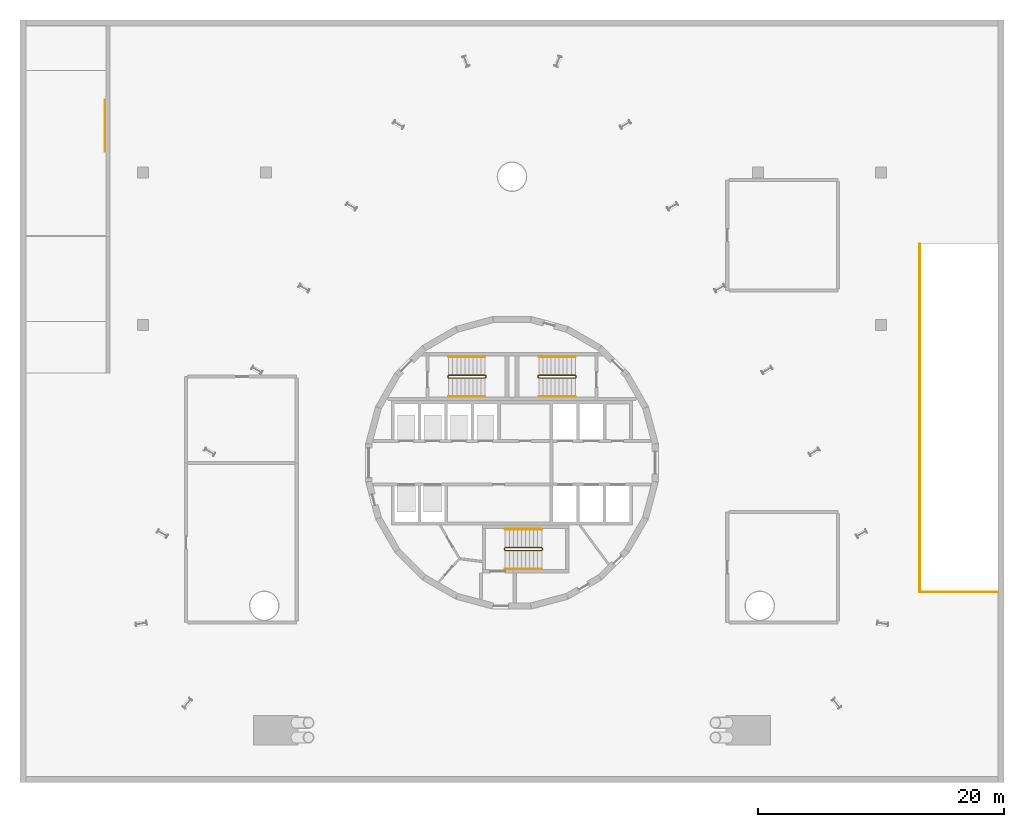
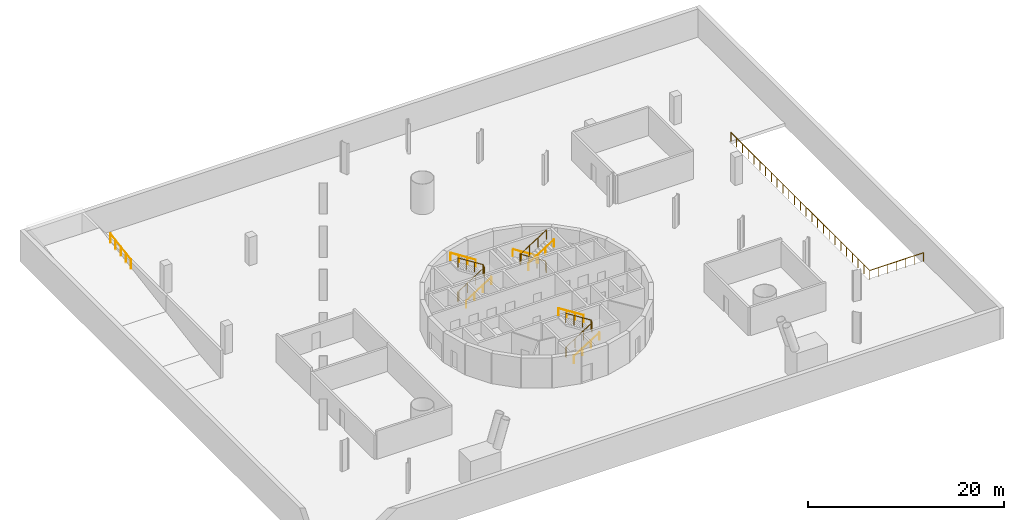
# One storey, part 9 of 10: 11 railings.
"""IFC4 building model written with IfcOpenShell, lengths in metres."""

from ifc_helpers import new_model, si_unit, direction, frame, origin, origin_2d, place, context, subcontext, project, spatial, circle, extrude, material, type_object, element, save


model = new_model("IFC4")

# Units and contexts
model_context = context("Model", 3, precision=1e-05, world=origin(), true_north=direction((0.0, 1.0)))
body_context = subcontext(model_context, "Body", "Model", "MODEL_VIEW")
ifc_project = project(units=[si_unit("LENGTHUNIT", "METRE"), si_unit("AREAUNIT", "SQUARE_METRE"), si_unit("VOLUMEUNIT", "CUBIC_METRE"), si_unit("PLANEANGLEUNIT", "RADIAN"), si_unit("MASSUNIT", "GRAM", prefix="KILO")], contexts=[model_context])

# Site, building, storey
site_placement = place(None, origin())
site = spatial("IfcSite", under=ifc_project, at=site_placement, CompositionType="ELEMENT")
building_placement = place(site_placement, origin())
building = spatial("IfcBuilding", under=site, at=building_placement, Name="Spindle Arch Residences", CompositionType="ELEMENT")
storey_placement = place(building_placement, frame((0.0, 0.0, -4.199951171875)))
storey = spatial("IfcBuildingStorey", under=building, at=storey_placement, Name="B1", CompositionType="ELEMENT", Elevation=-4.199951171875)

# Railings
ifc_material_1 = material(Name="Stainless steel balustrade", Category="steel")
railing_type_1 = type_object("IfcRailingType", Name="Plaza and trench guard 1200", PredefinedType="GUARDRAIL", material=ifc_material_1)
railing_1_placement = place(storey_placement, frame((-33.10009765625, 29.5, 3.449951171875)))
element("IfcRailing", 1, at=railing_1_placement, inside=storey, type_object=railing_type_1, Name="Ramp W1 slab edge guard", PredefinedType="GUARDRAIL", context=body_context, shape_type="SweptSolid", body=[
    extrude(circle(Radius=0.02392578125, at=origin_2d()), frame((0.0, 0.0, 1.17578125), z_axis=(0.0, -0.986395473479, -0.164389689151), x_axis=(1.0, 0.0, 0.0)), (0.0, 0.0, 1.0), 4.2578125),
    extrude(circle(Radius=0.02099609375, at=origin_2d()), origin(), (0.0, 0.0, 1.0), 1.15185546875),
    extrude(circle(Radius=0.02099609375, at=origin_2d()), frame((0.0, -1.050048828125, -0.175048828125)), (0.0, 0.0, 1.0), 1.15185546875),
    extrude(circle(Radius=0.02099609375, at=origin_2d()), frame((0.0, -2.10009765625, -0.35009765625)), (0.0, 0.0, 1.0), 1.15185546875),
    extrude(circle(Radius=0.02099609375, at=origin_2d()), frame((0.0, -3.14990234375, -0.52490234375)), (0.0, 0.0, 1.0), 1.15185546875),
    extrude(circle(Radius=0.02099609375, at=origin_2d()), frame((0.0, -4.199951171875, -0.699951171875)), (0.0, 0.0, 1.0), 1.15185546875),
])
ifc_material_2 = material(Name="Stainless steel balustrade", Category="steel")
railing_type_2 = type_object("IfcRailingType", Name="Ramp guard 1100", PredefinedType="GUARDRAIL", material=ifc_material_2)
railing_2_placement = place(storey_placement, frame((33.14990234375, 17.800048828125, 0.0)))
element("IfcRailing", 2, at=railing_2_placement, inside=storey, type_object=railing_type_2, Name="Ramp E1 opening guard", PredefinedType="GUARDRAIL", context=body_context, shape_type="SweptSolid", body=[
    extrude(circle(Radius=0.02392578125, at=origin_2d()), frame((0.0, 0.0, 1.076171875), z_axis=(0.0, -1.0, 0.0), x_axis=(1.0, 0.0, 0.0)), (0.0, 0.0, 1.0), 28.300048828125),
    extrude(circle(Radius=0.02392578125, at=origin_2d()), frame((0.0, -28.300048828125, 1.076171875), z_axis=(1.0, 0.0, 0.0), x_axis=(0.0, 1.0, 0.0)), (0.0, 0.0, 1.0), 6.35009765625),
    extrude(circle(Radius=0.02099609375, at=origin_2d()), origin(), (0.0, 0.0, 1.0), 1.052001953125),
    extrude(circle(Radius=0.02099609375, at=origin_2d()), frame((0.0, -1.17919921875, 0.0)), (0.0, 0.0, 1.0), 1.052001953125),
    extrude(circle(Radius=0.02099609375, at=origin_2d()), frame((0.0, -2.3583984375, 0.0)), (0.0, 0.0, 1.0), 1.052001953125),
    extrude(circle(Radius=0.02099609375, at=origin_2d()), frame((0.0, -3.53759765625, 0.0)), (0.0, 0.0, 1.0), 1.052001953125),
    extrude(circle(Radius=0.02099609375, at=origin_2d()), frame((0.0, -4.716796875, 0.0)), (0.0, 0.0, 1.0), 1.052001953125),
    extrude(circle(Radius=0.02099609375, at=origin_2d()), frame((0.0, -5.895751953125, 0.0)), (0.0, 0.0, 1.0), 1.052001953125),
    extrude(circle(Radius=0.02099609375, at=origin_2d()), frame((0.0, -7.074951171875, 0.0)), (0.0, 0.0, 1.0), 1.052001953125),
    extrude(circle(Radius=0.02099609375, at=origin_2d()), frame((0.0, -8.254150390625, 0.0)), (0.0, 0.0, 1.0), 1.052001953125),
    extrude(circle(Radius=0.02099609375, at=origin_2d()), frame((0.0, -9.433349609375, 0.0)), (0.0, 0.0, 1.0), 1.052001953125),
    extrude(circle(Radius=0.02099609375, at=origin_2d()), frame((0.0, -10.612548828125, 0.0)), (0.0, 0.0, 1.0), 1.052001953125),
    extrude(circle(Radius=0.02099609375, at=origin_2d()), frame((0.0, -11.791748046875, 0.0)), (0.0, 0.0, 1.0), 1.052001953125),
    extrude(circle(Radius=0.02099609375, at=origin_2d()), frame((0.0, -12.970947265625, 0.0)), (0.0, 0.0, 1.0), 1.052001953125),
    extrude(circle(Radius=0.02099609375, at=origin_2d()), frame((0.0, -14.14990234375, 0.0)), (0.0, 0.0, 1.0), 1.052001953125),
    extrude(circle(Radius=0.02099609375, at=origin_2d()), frame((0.0, -15.3291015625, 0.0)), (0.0, 0.0, 1.0), 1.052001953125),
    extrude(circle(Radius=0.02099609375, at=origin_2d()), frame((0.0, -16.50830078125, 0.0)), (0.0, 0.0, 1.0), 1.052001953125),
    extrude(circle(Radius=0.02099609375, at=origin_2d()), frame((0.0, -17.6875, 0.0)), (0.0, 0.0, 1.0), 1.052001953125),
    extrude(circle(Radius=0.02099609375, at=origin_2d()), frame((0.0, -18.86669921875, 0.0)), (0.0, 0.0, 1.0), 1.052001953125),
    extrude(circle(Radius=0.02099609375, at=origin_2d()), frame((0.0, -20.0458984375, 0.0)), (0.0, 0.0, 1.0), 1.052001953125),
    extrude(circle(Radius=0.02099609375, at=origin_2d()), frame((0.0, -21.22509765625, 0.0)), (0.0, 0.0, 1.0), 1.052001953125),
    extrude(circle(Radius=0.02099609375, at=origin_2d()), frame((0.0, -22.404296875, 0.0)), (0.0, 0.0, 1.0), 1.052001953125),
    extrude(circle(Radius=0.02099609375, at=origin_2d()), frame((0.0, -23.58349609375, 0.0)), (0.0, 0.0, 1.0), 1.052001953125),
    extrude(circle(Radius=0.02099609375, at=origin_2d()), frame((0.0, -24.762451171875, 0.0)), (0.0, 0.0, 1.0), 1.052001953125),
    extrude(circle(Radius=0.02099609375, at=origin_2d()), frame((0.0, -25.941650390625, 0.0)), (0.0, 0.0, 1.0), 1.052001953125),
    extrude(circle(Radius=0.02099609375, at=origin_2d()), frame((0.0, -27.120849609375, 0.0)), (0.0, 0.0, 1.0), 1.052001953125),
    extrude(circle(Radius=0.02099609375, at=origin_2d()), frame((0.0, -28.300048828125, 0.0)), (0.0, 0.0, 1.0), 1.052001953125),
    extrude(circle(Radius=0.02099609375, at=origin_2d()), frame((1.058349609375, -28.300048828125, 0.0)), (0.0, 0.0, 1.0), 1.052001953125),
    extrude(circle(Radius=0.02099609375, at=origin_2d()), frame((2.11669921875, -28.300048828125, 0.0)), (0.0, 0.0, 1.0), 1.052001953125),
    extrude(circle(Radius=0.02099609375, at=origin_2d()), frame((3.175048828125, -28.300048828125, 0.0)), (0.0, 0.0, 1.0), 1.052001953125),
    extrude(circle(Radius=0.02099609375, at=origin_2d()), frame((4.2333984375, -28.300048828125, 0.0)), (0.0, 0.0, 1.0), 1.052001953125),
    extrude(circle(Radius=0.02099609375, at=origin_2d()), frame((5.291748046875, -28.300048828125, 0.0)), (0.0, 0.0, 1.0), 1.052001953125),
    extrude(circle(Radius=0.02099609375, at=origin_2d()), frame((6.35009765625, -28.300048828125, 0.0)), (0.0, 0.0, 1.0), 1.052001953125),
])
ifc_material_3 = material(Name="Steel, painted", Category="steel")
railing_type_3 = type_object("IfcRailingType", Name="Stair guard 1100", PredefinedType="GUARDRAIL", material=ifc_material_3)
railing_3_placement = place(storey_placement, frame((5.14990234375, 6.89990234375, 4.199951171875)))
element("IfcRailing", 3, at=railing_3_placement, inside=storey, type_object=railing_type_3, Name="B1 ST1 stair guard 1", PredefinedType="GUARDRAIL", context=body_context, shape_type="SweptSolid", body=[
    extrude(circle(Radius=0.02392578125, at=origin_2d()), frame((0.0, 0.0, 1.17578125), z_axis=(-0.843672910302, 0.0, -0.536857542018), x_axis=(0.0, -1.0, 0.0)), (0.0, 0.0, 1.0), 3.520263671875),
    extrude(circle(Radius=0.02392578125, at=origin_2d()), frame((-2.969970703125, 0.0, -0.7138671875), z_axis=(-0.225646841203, 0.225646841203, -0.947716733054), x_axis=(-0.707106781187, -0.707106781187, 0.0)), (0.0, 0.0, 1.0), 0.2216796875),
    extrude(circle(Radius=0.02392578125, at=origin_2d()), frame((-3.02001953125, 0.050048828125, -0.92431640625), z_axis=(0.0, 1.0, 0.0), x_axis=(-1.0, 0.0, 0.0)), (0.0, 0.0, 1.0), 0.1201171875),
    extrude(circle(Radius=0.02392578125, at=origin_2d()), frame((-3.02001953125, 0.170166015625, -0.92431640625), z_axis=(0.707106781187, 0.707106781187, 0.0), x_axis=(-0.707106781187, 0.707106781187, 0.0)), (0.0, 0.0, 1.0), 0.07080078125),
    extrude(circle(Radius=0.02392578125, at=origin_2d()), frame((-2.969970703125, 0.22021484375, -0.92431640625), z_axis=(0.843672910302, 0.0, -0.536857542018), x_axis=(0.0, 1.0, 0.0)), (0.0, 0.0, 1.0), 3.520263671875),
    extrude(circle(Radius=0.02392578125, at=origin_2d()), frame((0.0, 0.22021484375, -2.81396484375), z_axis=(0.22588246044, -0.22588246044, -0.947604468189), x_axis=(0.707106781187, 0.707106781187, 0.0)), (0.0, 0.0, 1.0), 0.2216796875),
    extrude(circle(Radius=0.02392578125, at=origin_2d()), frame((0.050048828125, 0.170166015625, -3.02392578125), z_axis=(0.0, -1.0, 0.0), x_axis=(1.0, 0.0, 0.0)), (0.0, 0.0, 1.0), 0.1201171875),
    extrude(circle(Radius=0.02099609375, at=origin_2d()), origin(), (0.0, 0.0, 1.0), 1.15185546875),
    extrude(circle(Radius=0.02099609375, at=origin_2d()), frame((-0.989990234375, 0.0, -0.6298828125)), (0.0, 0.0, 1.0), 1.15185546875),
    extrude(circle(Radius=0.02099609375, at=origin_2d()), frame((-1.97998046875, 0.0, -1.260009765625)), (0.0, 0.0, 1.0), 1.15185546875),
    extrude(circle(Radius=0.02099609375, at=origin_2d()), frame((-2.969970703125, 0.0, -1.889892578125)), (0.0, 0.0, 1.0), 1.15185546875),
    extrude(circle(Radius=0.02099609375, at=origin_2d()), frame((-3.02001953125, 0.050048828125, -2.10009765625)), (0.0, 0.0, 1.0), 1.15185546875),
    extrude(circle(Radius=0.02099609375, at=origin_2d()), frame((-3.02001953125, 0.170166015625, -2.10009765625)), (0.0, 0.0, 1.0), 1.15185546875),
    extrude(circle(Radius=0.02099609375, at=origin_2d()), frame((-2.969970703125, 0.22021484375, -2.10009765625)), (0.0, 0.0, 1.0), 1.15185546875),
    extrude(circle(Radius=0.02099609375, at=origin_2d()), frame((-1.97998046875, 0.22021484375, -2.72998046875)), (0.0, 0.0, 1.0), 1.15185546875),
    extrude(circle(Radius=0.02099609375, at=origin_2d()), frame((-0.989990234375, 0.22021484375, -3.360107421875)), (0.0, 0.0, 1.0), 1.15185546875),
    extrude(circle(Radius=0.02099609375, at=origin_2d()), frame((0.0, 0.22021484375, -3.989990234375)), (0.0, 0.0, 1.0), 1.15185546875),
    extrude(circle(Radius=0.02099609375, at=origin_2d()), frame((0.050048828125, 0.170166015625, -4.199951171875)), (0.0, 0.0, 1.0), 1.15185546875),
    extrude(circle(Radius=0.02099609375, at=origin_2d()), frame((0.050048828125, 0.050048828125, -4.199951171875)), (0.0, 0.0, 1.0), 1.15185546875),
])
railing_4_placement = place(storey_placement, frame((-5.14990234375, 7.1201171875, 4.199951171875)))
element("IfcRailing", 4, at=railing_4_placement, inside=storey, type_object=railing_type_3, Name="B1 ST2 stair guard 1", PredefinedType="GUARDRAIL", context=body_context, shape_type="SweptSolid", body=[
    extrude(circle(Radius=0.02392578125, at=origin_2d()), frame((0.0, 0.0, 1.17578125), z_axis=(0.843672910302, 0.0, -0.536857542018), x_axis=(0.0, 1.0, 0.0)), (0.0, 0.0, 1.0), 3.520263671875),
    extrude(circle(Radius=0.02392578125, at=origin_2d()), frame((2.969970703125, 0.0, -0.7138671875), z_axis=(0.225646841203, -0.225646841203, -0.947716733054), x_axis=(0.707106781187, 0.707106781187, 0.0)), (0.0, 0.0, 1.0), 0.2216796875),
    extrude(circle(Radius=0.02392578125, at=origin_2d()), frame((3.02001953125, -0.050048828125, -0.92431640625), z_axis=(0.0, -1.0, 0.0), x_axis=(1.0, 0.0, 0.0)), (0.0, 0.0, 1.0), 0.1201171875),
    extrude(circle(Radius=0.02392578125, at=origin_2d()), frame((3.02001953125, -0.170166015625, -0.92431640625), z_axis=(-0.707106781187, -0.707106781187, 0.0), x_axis=(0.707106781187, -0.707106781187, 0.0)), (0.0, 0.0, 1.0), 0.07080078125),
    extrude(circle(Radius=0.02392578125, at=origin_2d()), frame((2.969970703125, -0.22021484375, -0.92431640625), z_axis=(-0.843672910302, 0.0, -0.536857542018), x_axis=(0.0, -1.0, 0.0)), (0.0, 0.0, 1.0), 3.520263671875),
    extrude(circle(Radius=0.02392578125, at=origin_2d()), frame((0.0, -0.22021484375, -2.81396484375), z_axis=(-0.22588246044, 0.22588246044, -0.947604468189), x_axis=(-0.707106781187, -0.707106781187, 0.0)), (0.0, 0.0, 1.0), 0.2216796875),
    extrude(circle(Radius=0.02392578125, at=origin_2d()), frame((-0.050048828125, -0.170166015625, -3.02392578125), z_axis=(0.0, 1.0, 0.0), x_axis=(-1.0, 0.0, 0.0)), (0.0, 0.0, 1.0), 0.1201171875),
    extrude(circle(Radius=0.02099609375, at=origin_2d()), origin(), (0.0, 0.0, 1.0), 1.15185546875),
    extrude(circle(Radius=0.02099609375, at=origin_2d()), frame((0.989990234375, 0.0, -0.6298828125)), (0.0, 0.0, 1.0), 1.15185546875),
    extrude(circle(Radius=0.02099609375, at=origin_2d()), frame((1.97998046875, 0.0, -1.260009765625)), (0.0, 0.0, 1.0), 1.15185546875),
    extrude(circle(Radius=0.02099609375, at=origin_2d()), frame((2.969970703125, 0.0, -1.889892578125)), (0.0, 0.0, 1.0), 1.15185546875),
    extrude(circle(Radius=0.02099609375, at=origin_2d()), frame((3.02001953125, -0.050048828125, -2.10009765625)), (0.0, 0.0, 1.0), 1.15185546875),
    extrude(circle(Radius=0.02099609375, at=origin_2d()), frame((3.02001953125, -0.170166015625, -2.10009765625)), (0.0, 0.0, 1.0), 1.15185546875),
    extrude(circle(Radius=0.02099609375, at=origin_2d()), frame((2.969970703125, -0.22021484375, -2.10009765625)), (0.0, 0.0, 1.0), 1.15185546875),
    extrude(circle(Radius=0.02099609375, at=origin_2d()), frame((1.97998046875, -0.22021484375, -2.72998046875)), (0.0, 0.0, 1.0), 1.15185546875),
    extrude(circle(Radius=0.02099609375, at=origin_2d()), frame((0.989990234375, -0.22021484375, -3.360107421875)), (0.0, 0.0, 1.0), 1.15185546875),
    extrude(circle(Radius=0.02099609375, at=origin_2d()), frame((0.0, -0.22021484375, -3.989990234375)), (0.0, 0.0, 1.0), 1.15185546875),
    extrude(circle(Radius=0.02099609375, at=origin_2d()), frame((-0.050048828125, -0.170166015625, -4.199951171875)), (0.0, 0.0, 1.0), 1.15185546875),
    extrude(circle(Radius=0.02099609375, at=origin_2d()), frame((-0.050048828125, -0.050048828125, -4.199951171875)), (0.0, 0.0, 1.0), 1.15185546875),
])
railing_5_placement = place(storey_placement, frame((-0.550048828125, -6.89990234375, 4.199951171875)))
element("IfcRailing", 5, at=railing_5_placement, inside=storey, type_object=railing_type_3, Name="B1 ST3 stair guard 1", PredefinedType="GUARDRAIL", context=body_context, shape_type="SweptSolid", body=[
    extrude(circle(Radius=0.02392578125, at=origin_2d()), frame((0.0, 0.0, 1.17578125), z_axis=(0.843672910302, 0.0, -0.536857542018), x_axis=(0.0, 1.0, 0.0)), (0.0, 0.0, 1.0), 3.520263671875),
    extrude(circle(Radius=0.02392578125, at=origin_2d()), frame((2.969970703125, 0.0, -0.7138671875), z_axis=(0.225646841203, -0.225646841203, -0.947716733054), x_axis=(0.707106781187, 0.707106781187, 0.0)), (0.0, 0.0, 1.0), 0.2216796875),
    extrude(circle(Radius=0.02392578125, at=origin_2d()), frame((3.02001953125, -0.050048828125, -0.92431640625), z_axis=(0.0, -1.0, 0.0), x_axis=(1.0, 0.0, 0.0)), (0.0, 0.0, 1.0), 0.1201171875),
    extrude(circle(Radius=0.02392578125, at=origin_2d()), frame((3.02001953125, -0.170166015625, -0.92431640625), z_axis=(-0.707106781187, -0.707106781187, 0.0), x_axis=(0.707106781187, -0.707106781187, 0.0)), (0.0, 0.0, 1.0), 0.07080078125),
    extrude(circle(Radius=0.02392578125, at=origin_2d()), frame((2.969970703125, -0.22021484375, -0.92431640625), z_axis=(-0.843672910302, 0.0, -0.536857542018), x_axis=(0.0, -1.0, 0.0)), (0.0, 0.0, 1.0), 3.520263671875),
    extrude(circle(Radius=0.02392578125, at=origin_2d()), frame((0.0, -0.22021484375, -2.81396484375), z_axis=(-0.22588246044, 0.22588246044, -0.947604468189), x_axis=(-0.707106781187, -0.707106781187, 0.0)), (0.0, 0.0, 1.0), 0.2216796875),
    extrude(circle(Radius=0.02392578125, at=origin_2d()), frame((-0.050048828125, -0.170166015625, -3.02392578125), z_axis=(0.0, 1.0, 0.0), x_axis=(-1.0, 0.0, 0.0)), (0.0, 0.0, 1.0), 0.1201171875),
    extrude(circle(Radius=0.02099609375, at=origin_2d()), origin(), (0.0, 0.0, 1.0), 1.15185546875),
    extrude(circle(Radius=0.02099609375, at=origin_2d()), frame((0.989990234375, 0.0, -0.6298828125)), (0.0, 0.0, 1.0), 1.15185546875),
    extrude(circle(Radius=0.02099609375, at=origin_2d()), frame((1.97998046875, 0.0, -1.260009765625)), (0.0, 0.0, 1.0), 1.15185546875),
    extrude(circle(Radius=0.02099609375, at=origin_2d()), frame((2.969970703125, 0.0, -1.889892578125)), (0.0, 0.0, 1.0), 1.15185546875),
    extrude(circle(Radius=0.02099609375, at=origin_2d()), frame((3.02001953125, -0.050048828125, -2.10009765625)), (0.0, 0.0, 1.0), 1.15185546875),
    extrude(circle(Radius=0.02099609375, at=origin_2d()), frame((3.02001953125, -0.170166015625, -2.10009765625)), (0.0, 0.0, 1.0), 1.15185546875),
    extrude(circle(Radius=0.02099609375, at=origin_2d()), frame((2.969970703125, -0.22021484375, -2.10009765625)), (0.0, 0.0, 1.0), 1.15185546875),
    extrude(circle(Radius=0.02099609375, at=origin_2d()), frame((1.97998046875, -0.22021484375, -2.72998046875)), (0.0, 0.0, 1.0), 1.15185546875),
    extrude(circle(Radius=0.02099609375, at=origin_2d()), frame((0.989990234375, -0.22021484375, -3.360107421875)), (0.0, 0.0, 1.0), 1.15185546875),
    extrude(circle(Radius=0.02099609375, at=origin_2d()), frame((0.0, -0.22021484375, -3.989990234375)), (0.0, 0.0, 1.0), 1.15185546875),
    extrude(circle(Radius=0.02099609375, at=origin_2d()), frame((-0.050048828125, -0.170166015625, -4.199951171875)), (0.0, 0.0, 1.0), 1.15185546875),
    extrude(circle(Radius=0.02099609375, at=origin_2d()), frame((-0.050048828125, -0.050048828125, -4.199951171875)), (0.0, 0.0, 1.0), 1.15185546875),
])
ifc_material_4 = material(Name="Steel, painted", Category="steel")
railing_type_4 = type_object("IfcRailingType", Name="Stair handrail 900", PredefinedType="HANDRAIL", material=ifc_material_4)
railing_6_placement = place(storey_placement, frame((5.14990234375, 8.6201171875, 0.2099609375)))
element("IfcRailing", 6, at=railing_6_placement, inside=storey, type_object=railing_type_4, Name="B1 ST1 stair handrail 1", PredefinedType="HANDRAIL", context=body_context, shape_type="SweptSolid", body=[
    extrude(circle(Radius=0.02392578125, at=origin_2d()), frame((0.0, 0.0, 0.8759765625), z_axis=(-0.843672910302, 0.0, 0.536857542018), x_axis=(0.0, -1.0, 0.0)), (0.0, 0.0, 1.0), 3.520263671875),
    extrude(circle(Radius=0.02099609375, at=origin_2d()), origin(), (0.0, 0.0, 1.0), 0.851806640625),
    extrude(circle(Radius=0.02099609375, at=origin_2d()), frame((-0.989990234375, 0.0, 0.6298828125)), (0.0, 0.0, 1.0), 0.851806640625),
    extrude(circle(Radius=0.02099609375, at=origin_2d()), frame((-1.97998046875, 0.0, 1.260009765625)), (0.0, 0.0, 1.0), 0.851806640625),
    extrude(circle(Radius=0.02099609375, at=origin_2d()), frame((-2.969970703125, 0.0, 1.889892578125)), (0.0, 0.0, 1.0), 0.851806640625),
])
for number, where, name in (
    (7, (2.179931640625, 5.39990234375, 2.31005859375), "B1 ST1 stair handrail 2"),
    (8, (-5.14990234375, 5.39990234375, 0.2099609375), "B1 ST2 stair handrail 1"),
):
    element("IfcRailing", number, at=place(storey_placement, frame(where)), inside=storey, type_object=railing_type_4, Name=name, PredefinedType="HANDRAIL", context=body_context, shape_type="SweptSolid", body=[
        extrude(circle(Radius=0.02392578125, at=origin_2d()), frame((0.0, 0.0, 0.8759765625), z_axis=(0.843672910302, 0.0, 0.536857542018), x_axis=(0.0, 1.0, 0.0)), (0.0, 0.0, 1.0), 3.520263671875),
        extrude(circle(Radius=0.02099609375, at=origin_2d()), origin(), (0.0, 0.0, 1.0), 0.851806640625),
        extrude(circle(Radius=0.02099609375, at=origin_2d()), frame((0.989990234375, 0.0, 0.6298828125)), (0.0, 0.0, 1.0), 0.851806640625),
        extrude(circle(Radius=0.02099609375, at=origin_2d()), frame((1.97998046875, 0.0, 1.260009765625)), (0.0, 0.0, 1.0), 0.851806640625),
        extrude(circle(Radius=0.02099609375, at=origin_2d()), frame((2.969970703125, 0.0, 1.889892578125)), (0.0, 0.0, 1.0), 0.851806640625),
    ])
railing_7_placement = place(storey_placement, frame((-2.179931640625, 8.6201171875, 2.31005859375)))
element("IfcRailing", 9, at=railing_7_placement, inside=storey, type_object=railing_type_4, Name="B1 ST2 stair handrail 2", PredefinedType="HANDRAIL", context=body_context, shape_type="SweptSolid", body=[
    extrude(circle(Radius=0.02392578125, at=origin_2d()), frame((0.0, 0.0, 0.8759765625), z_axis=(-0.843672910302, 0.0, 0.536857542018), x_axis=(0.0, -1.0, 0.0)), (0.0, 0.0, 1.0), 3.520263671875),
    extrude(circle(Radius=0.02099609375, at=origin_2d()), origin(), (0.0, 0.0, 1.0), 0.851806640625),
    extrude(circle(Radius=0.02099609375, at=origin_2d()), frame((-0.989990234375, 0.0, 0.6298828125)), (0.0, 0.0, 1.0), 0.851806640625),
    extrude(circle(Radius=0.02099609375, at=origin_2d()), frame((-1.97998046875, 0.0, 1.260009765625)), (0.0, 0.0, 1.0), 0.851806640625),
    extrude(circle(Radius=0.02099609375, at=origin_2d()), frame((-2.969970703125, 0.0, 1.889892578125)), (0.0, 0.0, 1.0), 0.851806640625),
])
railing_8_placement = place(storey_placement, frame((-0.550048828125, -8.6201171875, 0.2099609375)))
element("IfcRailing", 10, at=railing_8_placement, inside=storey, type_object=railing_type_4, Name="B1 ST3 stair handrail 1", PredefinedType="HANDRAIL", context=body_context, shape_type="SweptSolid", body=[
    extrude(circle(Radius=0.02392578125, at=origin_2d()), frame((0.0, 0.0, 0.8759765625), z_axis=(0.843672910302, 0.0, 0.536857542018), x_axis=(0.0, 1.0, 0.0)), (0.0, 0.0, 1.0), 3.520263671875),
    extrude(circle(Radius=0.02099609375, at=origin_2d()), origin(), (0.0, 0.0, 1.0), 0.851806640625),
    extrude(circle(Radius=0.02099609375, at=origin_2d()), frame((0.989990234375, 0.0, 0.6298828125)), (0.0, 0.0, 1.0), 0.851806640625),
    extrude(circle(Radius=0.02099609375, at=origin_2d()), frame((1.97998046875, 0.0, 1.260009765625)), (0.0, 0.0, 1.0), 0.851806640625),
    extrude(circle(Radius=0.02099609375, at=origin_2d()), frame((2.969970703125, 0.0, 1.889892578125)), (0.0, 0.0, 1.0), 0.851806640625),
])
railing_9_placement = place(storey_placement, frame((2.419921875, -5.39990234375, 2.31005859375)))
element("IfcRailing", 11, at=railing_9_placement, inside=storey, type_object=railing_type_4, Name="B1 ST3 stair handrail 2", PredefinedType="HANDRAIL", context=body_context, shape_type="SweptSolid", body=[
    extrude(circle(Radius=0.02392578125, at=origin_2d()), frame((0.0, 0.0, 0.8759765625), z_axis=(-0.843672910302, 0.0, 0.536857542018), x_axis=(0.0, -1.0, 0.0)), (0.0, 0.0, 1.0), 3.520263671875),
    extrude(circle(Radius=0.02099609375, at=origin_2d()), origin(), (0.0, 0.0, 1.0), 0.851806640625),
    extrude(circle(Radius=0.02099609375, at=origin_2d()), frame((-0.989990234375, 0.0, 0.6298828125)), (0.0, 0.0, 1.0), 0.851806640625),
    extrude(circle(Radius=0.02099609375, at=origin_2d()), frame((-1.97998046875, 0.0, 1.260009765625)), (0.0, 0.0, 1.0), 0.851806640625),
    extrude(circle(Radius=0.02099609375, at=origin_2d()), frame((-2.969970703125, 0.0, 1.889892578125)), (0.0, 0.0, 1.0), 0.851806640625),
])

save(model, "model.ifc")
